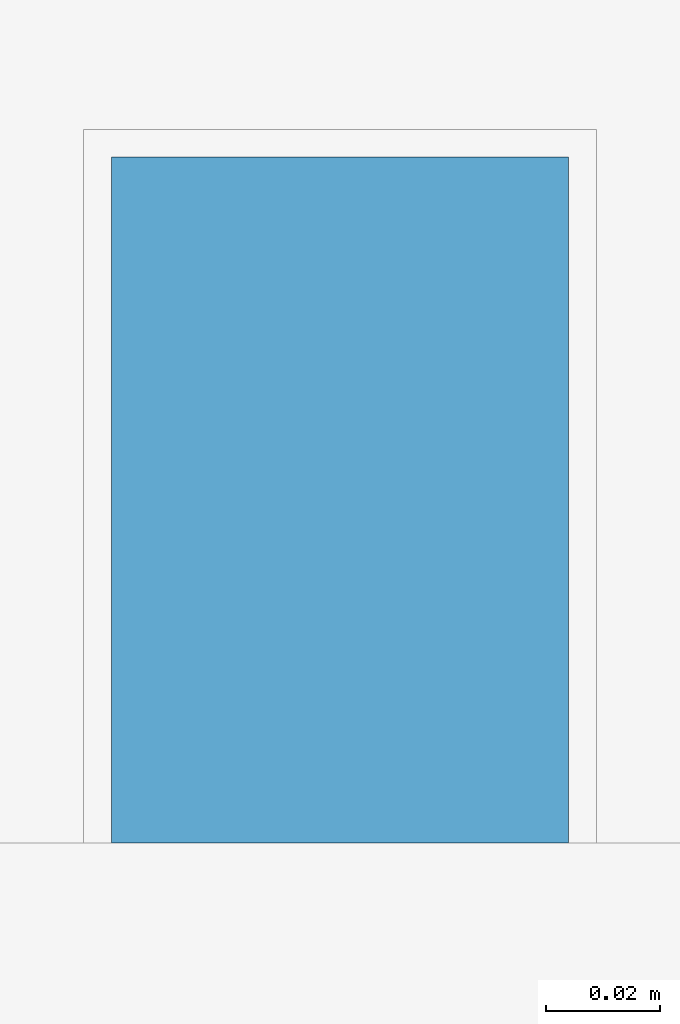
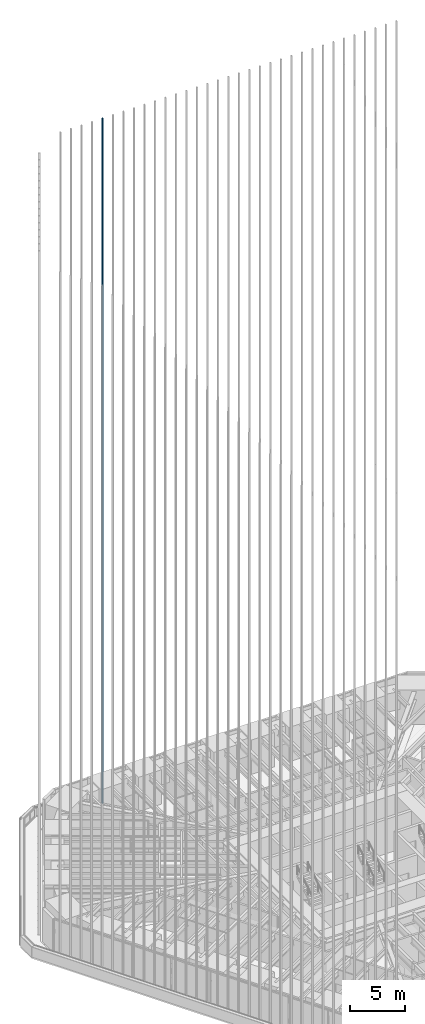
# One storey, part 155 of 238: 1 member, 1 element without a shape of its own.
"""IFC4 building model written with IfcOpenShell, lengths in metres."""

import ifcopenshell
import ifcopenshell.guid

model = None  # the IFC model being written
_history = None  # IfcOwnerHistory: only IFC2X3 demands one
_inside = {}  # id of a spatial element -> (the spatial element, [elements in it])
_under = {}  # id of a project, library or spatial element -> (it, [spatial elements below it])
_declared = {}  # id of a project -> (the project, [libraries it declares])
_typed = {}  # id of a type object -> (the type object, [elements of that type])
_made_of = {}  # id of a material, layer set ... -> (it, [elements and type objects made of it])


def new_model(schema):
    """Start an empty IFC model of exactly this schema.

    Asked for "IFC4X3", IfcOpenShell would pick the latest addendum, in which some entities
    have other attributes; the version numbers below select the first issue.
    IFC2X3 requires an IfcOwnerHistory on every rooted entity: one is made here for all.
    """
    global model, _history
    if schema == "IFC4X3":
        model = ifcopenshell.file(schema_version=(4, 3, 0, 0))
    else:
        model = ifcopenshell.file(schema=schema)
    _inside.clear()
    _under.clear()
    _declared.clear()
    _typed.clear()
    _made_of.clear()
    _history = None
    if model.schema == "IFC2X3":
        org = make("IfcOrganization", Name="unknown")
        user = make(
            "IfcPersonAndOrganization",
            ThePerson=make("IfcPerson", FamilyName="unknown"),
            TheOrganization=org,
        )
        app = make(
            "IfcApplication",
            ApplicationDeveloper=org,
            Version="unknown",
            ApplicationFullName="unknown",
            ApplicationIdentifier="unknown",
        )
        _history = make(
            "IfcOwnerHistory",
            OwningUser=user,
            OwningApplication=app,
            ChangeAction="ADDED",
            CreationDate=0,
        )
    return model


def make(cls, **values):
    """One entity of the class cls with the attributes given. An attribute that is None is left unset."""
    return model.create_entity(
        cls, **{name: value for name, value in values.items() if value is not None}
    )


def rooted(cls, **values):
    """An entity with a GlobalId (a new one), such as an element, a storey or a relation."""
    return make(cls, GlobalId=ifcopenshell.guid.new(), OwnerHistory=_history, **values)


def si_unit(unit_type, name, prefix=None):
    """IfcSIUnit, for example si_unit("LENGTHUNIT", "METRE", prefix="MILLI")."""
    return make("IfcSIUnit", UnitType=unit_type, Prefix=prefix, Name=name)


def assignment(units):
    """IfcUnitAssignment: the units of a project."""
    return None if units is None else make("IfcUnitAssignment", Units=units)


def point(xyz):
    """IfcCartesianPoint."""
    return None if xyz is None else make("IfcCartesianPoint", Coordinates=xyz)


def direction(xyz):
    """IfcDirection."""
    return None if xyz is None else make("IfcDirection", DirectionRatios=xyz)


def frame(location, z_axis=None, x_axis=None):
    """IfcAxis2Placement3D, a coordinate frame: its origin and axes. An axis left out is left unset."""
    return make(
        "IfcAxis2Placement3D",
        Location=point(location),
        Axis=direction(z_axis),
        RefDirection=direction(x_axis),
    )


def frame_2d(location, x_axis=None):
    """IfcAxis2Placement2D, a coordinate frame in the plane: its origin and x axis."""
    return make(
        "IfcAxis2Placement2D", Location=point(location), RefDirection=direction(x_axis)
    )


def origin():
    """The frame at (0, 0, 0) with its axes left unset."""
    return frame((0.0, 0.0, 0.0))


def origin_2d():
    """The frame at (0, 0) in the plane with its x axis left unset."""
    return frame_2d((0.0, 0.0))


def place(relative_to, where):
    """IfcLocalPlacement: puts the frame where relative to a parent placement (None: the world)."""
    return make(
        "IfcLocalPlacement", PlacementRelTo=relative_to, RelativePlacement=where
    )


def context(
    kind, dimensions, precision=None, world=None, true_north=None, identifier=None
):
    """IfcGeometricRepresentationContext, for example the 3D "Model" context."""
    return make(
        "IfcGeometricRepresentationContext",
        ContextIdentifier=identifier,
        ContextType=kind,
        CoordinateSpaceDimension=dimensions,
        Precision=precision,
        WorldCoordinateSystem=world,
        TrueNorth=true_north,
    )


def subcontext(parent, identifier, kind, view, scale=None):
    """IfcGeometricRepresentationSubContext, for example "Body" below "Model"."""
    return make(
        "IfcGeometricRepresentationSubContext",
        ContextIdentifier=identifier,
        ContextType=kind,
        ParentContext=parent,
        TargetScale=scale,
        TargetView=view,
    )


def project(units=None, contexts=None):
    """IfcProject with its units and contexts."""
    return rooted(
        "IfcProject",
        Name="project",
        RepresentationContexts=contexts,
        UnitsInContext=assignment(units),
    )


def spatial(cls, under=None, at=None, **own):
    """A site, building, storey or space (cls), placed at a placement, below another one or the project."""
    s = rooted(cls, ObjectPlacement=at, **own)
    if under is not None:
        _under.setdefault(under.id(), (under, []))[1].append(s)
    return s


def profile(cls, at=None, kind="AREA", **sizes):
    """A parametric profile (cls). Its sizes go by their IFC names, for example OverallWidth=200.0."""
    return make(cls, ProfileType=kind, Position=at, **sizes)


def rectangle(**sizes):
    """IfcRectangleProfileDef."""
    return profile("IfcRectangleProfileDef", **sizes)


def extrude(swept, where, along, depth):
    """IfcExtrudedAreaSolid: the profile swept, set in the frame where, extruded along a direction by depth."""
    return make(
        "IfcExtrudedAreaSolid",
        SweptArea=swept,
        Position=where,
        ExtrudedDirection=direction(along),
        Depth=depth,
    )


def shape(context_of_items, identifier, shape_type, items):
    """IfcShapeRepresentation: the items that make up one representation, for example the "Body"."""
    return make(
        "IfcShapeRepresentation",
        ContextOfItems=context_of_items,
        RepresentationIdentifier=identifier,
        RepresentationType=shape_type,
        Items=items,
    )


def material(Name=None, Category=None):
    """IfcMaterial."""
    return make("IfcMaterial", Name=Name, Category=Category)


def material_profile(
    of_material, cross_section, Name=None, Category=None, Priority=None
):
    """IfcMaterialProfile: a cross section and its material."""
    return make(
        "IfcMaterialProfile",
        Name=Name,
        Material=of_material,
        Profile=cross_section,
        Priority=Priority,
        Category=Category,
    )


def profile_set(profiles, Name=None, composite=None):
    """IfcMaterialProfileSet."""
    return make(
        "IfcMaterialProfileSet",
        Name=Name,
        MaterialProfiles=profiles,
        CompositeProfile=composite,
    )


def made_of(thing, what):
    """Note that an element or type object is made of a material, layer set ...; save() writes the relation."""
    if what is not None:
        _made_of.setdefault(what.id(), (what, []))[1].append(thing)
    return thing


def type_object(cls, material=None, **own):
    """A type object (cls), such as IfcWallType, which elements share."""
    return made_of(rooted(cls, **own), material)


def element(
    cls,
    number,
    at=None,
    inside=None,
    cuts=None,
    type_object=None,
    material=None,
    context=None,
    identifier="Body",
    shape_type=None,
    held_by="IfcProductDefinitionShape",
    body=None,
    shapes=None,
    **own,
):
    """One element of the class cls, such as IfcWall. Its Tag is "e" and its number.

    at: its placement. inside: the storey or other place that contains it. cuts: it is an
    opening in that element (IfcRelVoidsElement). A single representation is given by context,
    identifier, shape_type and body (its items); several are given by shapes. held_by: the class
    of the entity that holds the representations. save() writes the other relations.
    """
    e = rooted(cls, Tag="e%d" % number, ObjectPlacement=at, **own)
    if body is not None:
        shapes = [shape(context, identifier, shape_type, body)]
    if shapes is not None:
        e.Representation = make(held_by, Representations=shapes)
    if inside is not None:
        _inside.setdefault(inside.id(), (inside, []))[1].append(e)
    if cuts is not None:
        rooted(
            "IfcRelVoidsElement", RelatingBuildingElement=cuts, RelatedOpeningElement=e
        )
    if type_object is not None:
        _typed.setdefault(type_object.id(), (type_object, []))[1].append(e)
    return made_of(e, material)


def aggregate(whole, parts):
    """IfcRelAggregates: a whole, such as a stair, and the parts it consists of."""
    return rooted("IfcRelAggregates", RelatingObject=whole, RelatedObjects=parts)


def save(model, path):
    """Write the relations noted so far, then the file.

    IfcRelAggregates (storeys below a building ...), IfcRelContainedInSpatialStructure (elements
    in a storey), IfcRelDefinesByType, IfcRelAssociatesMaterial and IfcRelDeclares: one each for
    every whole, place, type object, material and project.
    """
    for whole, parts in _under.values():
        aggregate(whole, parts)
    for where, things in _inside.values():
        rooted(
            "IfcRelContainedInSpatialStructure",
            RelatedElements=things,
            RelatingStructure=where,
        )
    for kind, things in _typed.values():
        rooted("IfcRelDefinesByType", RelatedObjects=things, RelatingType=kind)
    for what, things in _made_of.values():
        rooted("IfcRelAssociatesMaterial", RelatedObjects=things, RelatingMaterial=what)
    for by, libraries in _declared.values():
        rooted("IfcRelDeclares", RelatingContext=by, RelatedDefinitions=libraries)
    model.write(path)


model = new_model("IFC4")

# Units and contexts
model_context = context("Model", 3, precision=1e-05, world=origin(), true_north=direction((0.0, 1.0)))
body_context = subcontext(model_context, "Body", "Model", "MODEL_VIEW")
ifc_project = project(units=[si_unit("LENGTHUNIT", "METRE"), si_unit("AREAUNIT", "SQUARE_METRE"), si_unit("VOLUMEUNIT", "CUBIC_METRE"), si_unit("PLANEANGLEUNIT", "RADIAN"), si_unit("MASSUNIT", "GRAM", prefix="KILO")], contexts=[model_context])

# Site, building, storey
site_placement = place(None, origin())
site = spatial("IfcSite", under=ifc_project, at=site_placement, CompositionType="ELEMENT")
building_placement = place(site_placement, origin())
building = spatial("IfcBuilding", under=site, at=building_placement, Name="Sandreach Pilgrim Tower", CompositionType="ELEMENT")
storey_placement = place(building_placement, frame((0.0, 0.0, 96.800048828125)))
storey = spatial("IfcBuildingStorey", under=building, at=storey_placement, Name="L23", CompositionType="ELEMENT", Elevation=96.800048828125)

# Curtain wall, member
ifc_material_1 = material(Name="Aluminium framed curtain wall", Category="aluminium")
curtain_wall_type = type_object("IfcCurtainWallType", Name="Hotel tower curtain wall", PredefinedType="NOTDEFINED", material=ifc_material_1)
curtain_wall_placement = place(storey_placement, origin())
curtain_wall = element("IfcCurtainWall", 1, at=curtain_wall_placement, inside=storey, type_object=curtain_wall_type, Name="CW-2 L23 N", PredefinedType="NOTDEFINED")
ifc_material_2 = material(Name="Extruded terracotta on aluminium core", Category="masonry")
ifc_material_profile = material_profile(ifc_material_2, rectangle(XDim=0.080078125, YDim=0.1201171875, at=origin_2d()), Name="TBN 80X120")
ifc_profile_set = profile_set([ifc_material_profile], Name="Extruded terracotta on aluminium core")
member_type = type_object("IfcMemberType", Name="Terracotta baguette north", PredefinedType="USERDEFINED", material=ifc_profile_set)
member_placement = place(storey_placement, frame((-13.1923828125, 22.853759765625, 0.0), z_axis=(0.0, 0.0, 1.0), x_axis=(1.0, 0.0, 0.0)))
member = element("IfcMember", 2, at=member_placement, type_object=member_type, Name="Baguette Z2 N05", ObjectType="BAGUETTE", PredefinedType="USERDEFINED", context=body_context, shape_type="SweptSolid", body=[
    extrude(rectangle(XDim=0.080078125, YDim=0.1201171875, at=origin_2d()), origin(), (0.0, 0.0, 1.0), 75.83984375),
])
aggregate(curtain_wall, [member])

save(model, "model.ifc")
